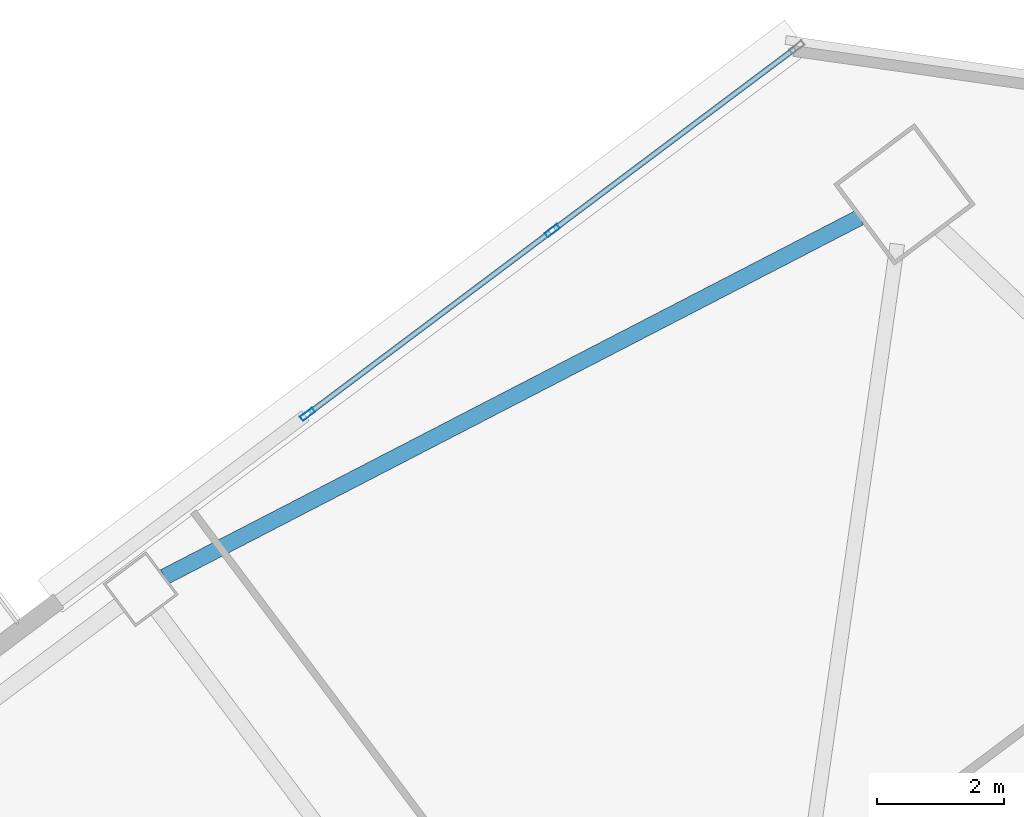
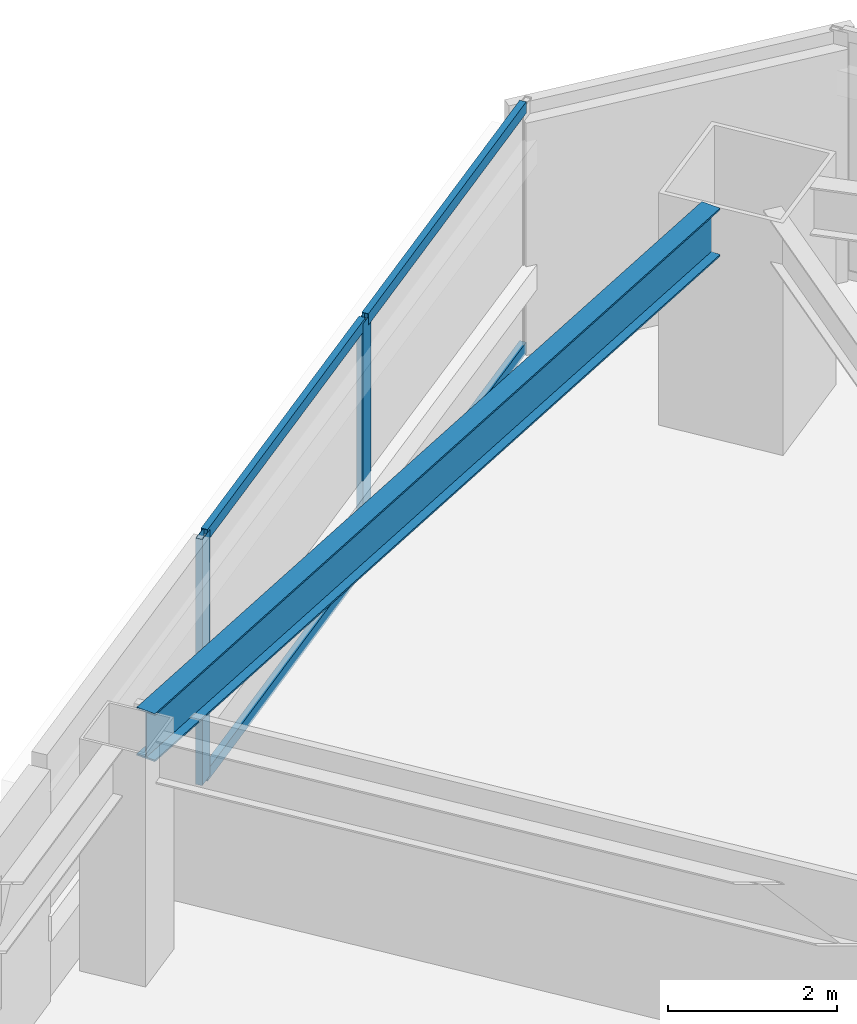
# One storey, part 28 of 46: 6 members, 1 beam, 1 element without a shape of its own.
"""IFC4 building model written with IfcOpenShell, lengths in metres."""

from ifc_helpers import new_model, si_unit, direction, frame, origin, origin_2d, place, context, subcontext, project, spatial, hollow_rectangle, i_section, extrude, material, material_profile, profile_set, type_object, element, aggregate, save


model = new_model("IFC4")

# Units and contexts
model_context = context("Model", 3, precision=1e-05, world=origin(), true_north=direction((0.0, 1.0)))
body_context = subcontext(model_context, "Body", "Model", "MODEL_VIEW")
ifc_project = project(units=[si_unit("LENGTHUNIT", "METRE"), si_unit("AREAUNIT", "SQUARE_METRE"), si_unit("VOLUMEUNIT", "CUBIC_METRE"), si_unit("PLANEANGLEUNIT", "RADIAN"), si_unit("MASSUNIT", "GRAM", prefix="KILO")], contexts=[model_context])

# Site, building, storey
site_placement = place(None, origin())
site = spatial("IfcSite", under=ifc_project, at=site_placement, CompositionType="ELEMENT")
building_placement = place(site_placement, origin())
building = spatial("IfcBuilding", under=site, at=building_placement, Name="Tashvorn Skyway Center", CompositionType="ELEMENT")
storey_placement = place(building_placement, frame((0.0, 0.0, 38.800048828125)))
storey = spatial("IfcBuildingStorey", under=building, at=storey_placement, Name="L09", CompositionType="ELEMENT", Elevation=38.800048828125)

# Beam
ifc_material_1 = material(Name="Steel ASTM A992 Grade 50", Category="steel")
ifc_material_profile_1 = material_profile(ifc_material_1, i_section(OverallWidth=0.256103515625, OverallDepth=0.693115234375, WebThickness=0.014404296875, FlangeThickness=0.023681640625, at=origin_2d()), Name="W27X114")
ifc_profile_set_1 = profile_set([ifc_material_profile_1], Name="Steel ASTM A992 Grade 50")
beam_type = type_object("IfcBeamType", Name="BM-SPANDREL-W27X114", PredefinedType="SPANDREL", material=ifc_profile_set_1)
beam_placement = place(storey_placement, frame((117.0537109375, 57.954833984375, 3.00341796875), z_axis=(-0.888315637339, -0.459233413919, 0.0), x_axis=(0.459233413919, -0.888315637339, 0.0)))
element("IfcBeam", 1, at=beam_placement, inside=storey, type_object=beam_type, Name="Tower 2 L09 Spandrel Beam 07", PredefinedType="SPANDREL", context=body_context, shape_type="SweptSolid", body=[
    extrude(i_section(OverallWidth=0.256103515625, OverallDepth=0.693115234375, WebThickness=0.014404296875, FlangeThickness=0.023681640625, at=origin_2d()), origin(), (0.0, 0.0, 1.0), 12.37255859375),
])

# Curtain wall, members
ifc_material_2 = material(Name="Thermally broken bronze-anodized aluminium 6063-T6", Category="aluminium")
curtain_wall_type = type_object("IfcCurtainWallType", Name="CW-CW-Z1", PredefinedType="NOTDEFINED", material=ifc_material_2)
curtain_wall_placement = place(storey_placement, origin())
curtain_wall = element("IfcCurtainWall", 2, at=curtain_wall_placement, inside=storey, type_object=curtain_wall_type, Name="Tower 2 L09 North Curtain Wall R Glazing Group 1", PredefinedType="NOTDEFINED")
ifc_material_profile_2 = material_profile(ifc_material_2, hollow_rectangle(XDim=0.0849609375, YDim=0.239990234375, WallThickness=0.0048828125, at=origin_2d()), Name="ALU-MULL-85x240")
ifc_profile_set_2 = profile_set([ifc_material_profile_2], Name="Thermally broken bronze-anodized aluminium 6063-T6")
member_type_1 = type_object("IfcMemberType", Name="CWM-CW-Z1", PredefinedType="MULLION", material=ifc_profile_set_2)
member_1_placement = place(storey_placement, frame((108.327392578125, 54.845458984375, 0.0), z_axis=(0.0, 0.0, 1.0), x_axis=(-0.599998359545, 0.800001230339, 0.0)))
member_1 = element("IfcMember", 3, at=member_1_placement, type_object=member_type_1, Name="CW-Z1 mullion 1", PredefinedType="MULLION", context=body_context, shape_type="SweptSolid", body=[
    extrude(hollow_rectangle(XDim=0.0849609375, YDim=0.239990234375, WallThickness=0.0048828125, at=origin_2d()), origin(), (0.0, 0.0, 1.0), 3.550048828125),
])
member_2_placement = place(storey_placement, frame((112.194580078125, 57.74609375, 0.0), z_axis=(0.0, 0.0, 1.0), x_axis=(-0.599998359545, 0.800001230339, 0.0)))
member_2 = element("IfcMember", 4, at=member_2_placement, type_object=member_type_1, Name="CW-Z1 mullion 2", PredefinedType="MULLION", context=body_context, shape_type="SweptSolid", body=[
    extrude(hollow_rectangle(XDim=0.0849609375, YDim=0.239990234375, WallThickness=0.0048828125, at=origin_2d()), origin(), (0.0, 0.0, 1.0), 3.550048828125),
])
ifc_material_profile_3 = material_profile(ifc_material_2, hollow_rectangle(XDim=0.0849609375, YDim=0.1650390625, WallThickness=0.0048828125, at=origin_2d()), Name="ALU-TRAN-85x165")
ifc_profile_set_3 = profile_set([ifc_material_profile_3], Name="Thermally broken bronze-anodized aluminium 6063-T6")
member_type_2 = type_object("IfcMemberType", Name="CWT-CW-Z1", PredefinedType="USERDEFINED", material=ifc_profile_set_3)
member_3_placement = place(storey_placement, frame((108.361328125, 54.87109375, 0.04248046875), z_axis=(0.800012337767, 0.599983549292, 0.0), x_axis=(-0.599983549292, 0.800012337767, 0.0)))
member_3 = element("IfcMember", 5, at=member_3_placement, type_object=member_type_2, Name="CW-Z1 transom 1.1", ObjectType="TRANSOM", PredefinedType="USERDEFINED", context=body_context, shape_type="SweptSolid", body=[
    extrude(hollow_rectangle(XDim=0.0849609375, YDim=0.1650390625, WallThickness=0.0048828125, at=origin_2d()), origin(), (0.0, 0.0, 1.0), 4.7490234375),
])
member_4_placement = place(storey_placement, frame((108.361328125, 54.87109375, 3.507568359375), z_axis=(0.800012337767, 0.599983549292, 0.0), x_axis=(-0.599983549292, 0.800012337767, 0.0)))
member_4 = element("IfcMember", 6, at=member_4_placement, type_object=member_type_2, Name="CW-Z1 transom 1.2", ObjectType="TRANSOM", PredefinedType="USERDEFINED", context=body_context, shape_type="SweptSolid", body=[
    extrude(hollow_rectangle(XDim=0.0849609375, YDim=0.1650390625, WallThickness=0.0048828125, at=origin_2d()), origin(), (0.0, 0.0, 1.0), 4.7490234375),
])
member_5_placement = place(storey_placement, frame((112.228759765625, 57.771484375, 0.04248046875), z_axis=(0.799987662275, 0.600016449947, 0.0), x_axis=(-0.600016449947, 0.799987662275, 0.0)))
member_5 = element("IfcMember", 7, at=member_5_placement, type_object=member_type_2, Name="CW-Z1 transom 2.1", ObjectType="TRANSOM", PredefinedType="USERDEFINED", context=body_context, shape_type="SweptSolid", body=[
    extrude(hollow_rectangle(XDim=0.0849609375, YDim=0.1650390625, WallThickness=0.0048828125, at=origin_2d()), origin(), (0.0, 0.0, 1.0), 4.749267578125),
])
member_6_placement = place(storey_placement, frame((112.228759765625, 57.771484375, 3.507568359375), z_axis=(0.799987662275, 0.600016449947, 0.0), x_axis=(-0.600016449947, 0.799987662275, 0.0)))
member_6 = element("IfcMember", 8, at=member_6_placement, type_object=member_type_2, Name="CW-Z1 transom 2.2", ObjectType="TRANSOM", PredefinedType="USERDEFINED", context=body_context, shape_type="SweptSolid", body=[
    extrude(hollow_rectangle(XDim=0.0849609375, YDim=0.1650390625, WallThickness=0.0048828125, at=origin_2d()), origin(), (0.0, 0.0, 1.0), 4.749267578125),
])
aggregate(curtain_wall, [member_1, member_2, member_3, member_4, member_5, member_6])

save(model, "model.ifc")
